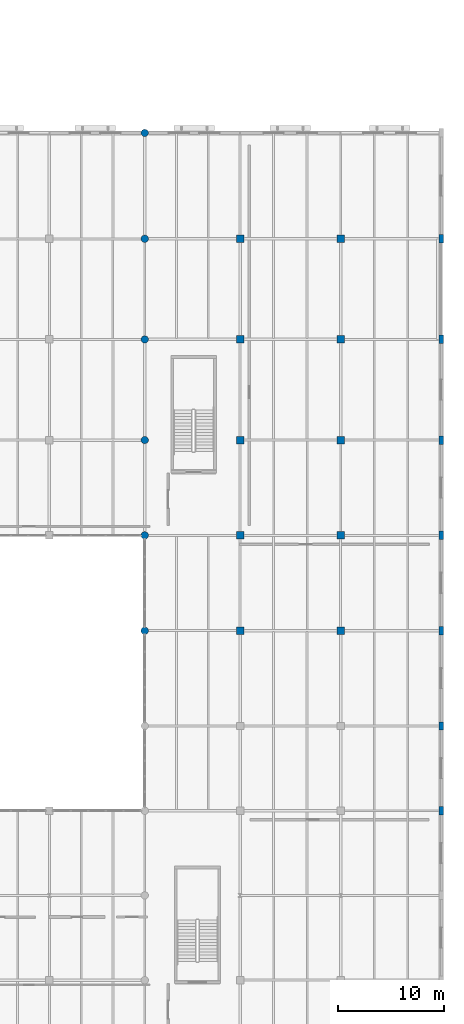
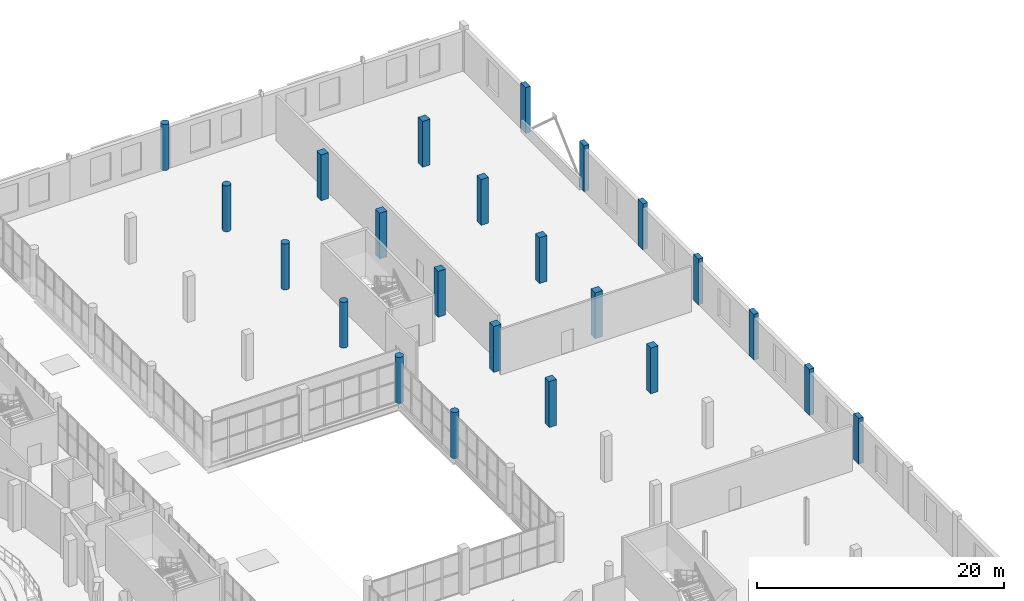
# One storey, part 19 of 93: 23 columns.
"""IFC4 building model written with IfcOpenShell, lengths in metres."""

from ifc_helpers import new_model, si_unit, direction, frame, origin, origin_2d, place, context, subcontext, project, spatial, rectangle, circle, extrude, material, material_profile, profile_set, type_object, element, save


model = new_model("IFC4")

# Units and contexts
model_context = context("Model", 3, precision=1e-05, world=origin(), true_north=direction((0.0, 1.0)))
body_context = subcontext(model_context, "Body", "Model", "MODEL_VIEW")
ifc_project = project(units=[si_unit("LENGTHUNIT", "METRE"), si_unit("AREAUNIT", "SQUARE_METRE"), si_unit("VOLUMEUNIT", "CUBIC_METRE"), si_unit("PLANEANGLEUNIT", "RADIAN"), si_unit("MASSUNIT", "GRAM", prefix="KILO")], contexts=[model_context])

# Site, building, storey
site_placement = place(None, origin())
site = spatial("IfcSite", under=ifc_project, at=site_placement, CompositionType="ELEMENT")
building_placement = place(site_placement, origin())
building = spatial("IfcBuilding", under=site, at=building_placement, Name="Marnock Terrace Opera House", CompositionType="ELEMENT")
storey_placement = place(building_placement, frame((0.0, 0.0, 5.39990234375)))
storey = spatial("IfcBuildingStorey", under=building, at=storey_placement, Name="L01", CompositionType="ELEMENT", Elevation=5.39990234375)

# Columns
ifc_material = material(Name="Concrete N40 (f'c = 40 MPa)", Category="concrete")
ifc_material_profile_1 = material_profile(ifc_material, circle(Radius=0.35009765625, at=origin_2d()))
ifc_profile_set_1 = profile_set([ifc_material_profile_1], Name="Concrete N40 (f'c = 40 MPa)")
column_type_1 = type_object("IfcColumnType", Name="COL-LOGGIA-700", PredefinedType="COLUMN", material=ifc_profile_set_1)
for number, where, z_axis, x_axis, name in (
    (1, (136.0, 57.0, 0.0), (0.0, 0.0, 1.0), (1.0, 0.0, 0.0), "L01 column at (136.0, 57.0)"),
    (2, (136.0, 66.0, 0.0), (0.0, 0.0, 1.0), (1.0, 0.0, 0.0), "L01 column at (136.0, 66.0)"),
    (3, (136.0, 75.0, 0.0), (0.0, 0.0, 1.0), (1.0, 0.0, 0.0), "L01 column at (136.0, 75.0)"),
    (4, (136.0, 84.5, 0.0), (0.0, 0.0, 1.0), (1.0, 0.0, 0.0), "L01 column at (136.0, 84.5)"),
    (5, (136.0, 94.0, 0.0), (0.0, 0.0, 1.0), (1.0, 0.0, 0.0), "L01 column at (136.0, 94.0)"),
    (6, (136.0, 104.0, 0.0), (0.0, 0.0, 1.0), (1.0, 0.0, 0.0), "L01 column at (136.0, 104.0)"),
):
    element("IfcColumn", number, at=place(storey_placement, frame(where, z_axis=z_axis, x_axis=x_axis)), inside=storey, type_object=column_type_1, Name=name, PredefinedType="COLUMN", context=body_context, shape_type="SweptSolid", body=[
        extrude(circle(Radius=0.35009765625, at=origin_2d()), origin(), (0.0, 0.0, 1.0), 4.5400390625),
    ])
ifc_material_profile_2 = material_profile(ifc_material, rectangle(XDim=0.449951171875, YDim=0.800048828125, at=origin_2d()))
ifc_profile_set_2 = profile_set([ifc_material_profile_2], Name="Concrete N40 (f'c = 40 MPa)")
column_type_2 = type_object("IfcColumnType", Name="COL-PIL-800", PredefinedType="PILASTER", material=ifc_profile_set_2)
for number, where, z_axis, x_axis, name in (
    (7, (164.0, 40.0, 0.0), (0.0, 0.0, 1.0), (1.0, 0.0, 0.0), "L01 column at (164.0, 40.0)"),
    (8, (164.0, 48.0, 0.0), (0.0, 0.0, 1.0), (1.0, 0.0, 0.0), "L01 column at (164.0, 48.0)"),
    (9, (164.0, 57.0, 0.0), (0.0, 0.0, 1.0), (1.0, 0.0, 0.0), "L01 column at (164.0, 57.0)"),
    (10, (164.0, 66.0, 0.0), (0.0, 0.0, 1.0), (1.0, 0.0, 0.0), "L01 column at (164.0, 66.0)"),
    (11, (164.0, 75.0, 0.0), (0.0, 0.0, 1.0), (1.0, 0.0, 0.0), "L01 column at (164.0, 75.0)"),
    (12, (164.0, 84.5, 0.0), (0.0, 0.0, 1.0), (1.0, 0.0, 0.0), "L01 column at (164.0, 84.5)"),
    (13, (164.0, 94.0, 0.0), (0.0, 0.0, 1.0), (1.0, 0.0, 0.0), "L01 column at (164.0, 94.0)"),
):
    element("IfcColumn", number, at=place(storey_placement, frame(where, z_axis=z_axis, x_axis=x_axis)), inside=storey, type_object=column_type_2, Name=name, PredefinedType="PILASTER", context=body_context, shape_type="SweptSolid", body=[
        extrude(rectangle(XDim=0.449951171875, YDim=0.800048828125, at=origin_2d()), origin(), (0.0, 0.0, 1.0), 4.5400390625),
    ])
ifc_material_profile_3 = material_profile(ifc_material, rectangle(XDim=0.699951171875, YDim=0.699951171875, at=origin_2d()))
ifc_profile_set_3 = profile_set([ifc_material_profile_3], Name="Concrete N40 (f'c = 40 MPa)")
column_type_3 = type_object("IfcColumnType", Name="COL-RC700", PredefinedType="COLUMN", material=ifc_profile_set_3)
for number, where, z_axis, x_axis, name in (
    (14, (145.0, 57.0, 0.0), (0.0, 0.0, 1.0), (1.0, 0.0, 0.0), "L01 column at (145.0, 57.0)"),
    (15, (145.0, 66.0, 0.0), (0.0, 0.0, 1.0), (1.0, 0.0, 0.0), "L01 column at (145.0, 66.0)"),
    (16, (145.0, 75.0, 0.0), (0.0, 0.0, 1.0), (1.0, 0.0, 0.0), "L01 column at (145.0, 75.0)"),
    (17, (145.0, 84.5, 0.0), (0.0, 0.0, 1.0), (1.0, 0.0, 0.0), "L01 column at (145.0, 84.5)"),
    (18, (145.0, 94.0, 0.0), (0.0, 0.0, 1.0), (1.0, 0.0, 0.0), "L01 column at (145.0, 94.0)"),
    (19, (154.5, 57.0, 0.0), (0.0, 0.0, 1.0), (1.0, 0.0, 0.0), "L01 column at (154.5, 57.0)"),
    (20, (154.5, 66.0, 0.0), (0.0, 0.0, 1.0), (1.0, 0.0, 0.0), "L01 column at (154.5, 66.0)"),
    (21, (154.5, 75.0, 0.0), (0.0, 0.0, 1.0), (1.0, 0.0, 0.0), "L01 column at (154.5, 75.0)"),
    (22, (154.5, 84.5, 0.0), (0.0, 0.0, 1.0), (1.0, 0.0, 0.0), "L01 column at (154.5, 84.5)"),
    (23, (154.5, 94.0, 0.0), (0.0, 0.0, 1.0), (1.0, 0.0, 0.0), "L01 column at (154.5, 94.0)"),
):
    element("IfcColumn", number, at=place(storey_placement, frame(where, z_axis=z_axis, x_axis=x_axis)), inside=storey, type_object=column_type_3, Name=name, PredefinedType="COLUMN", context=body_context, shape_type="SweptSolid", body=[
        extrude(rectangle(XDim=0.699951171875, YDim=0.699951171875, at=origin_2d()), origin(), (0.0, 0.0, 1.0), 4.5400390625),
    ])

save(model, "model.ifc")
